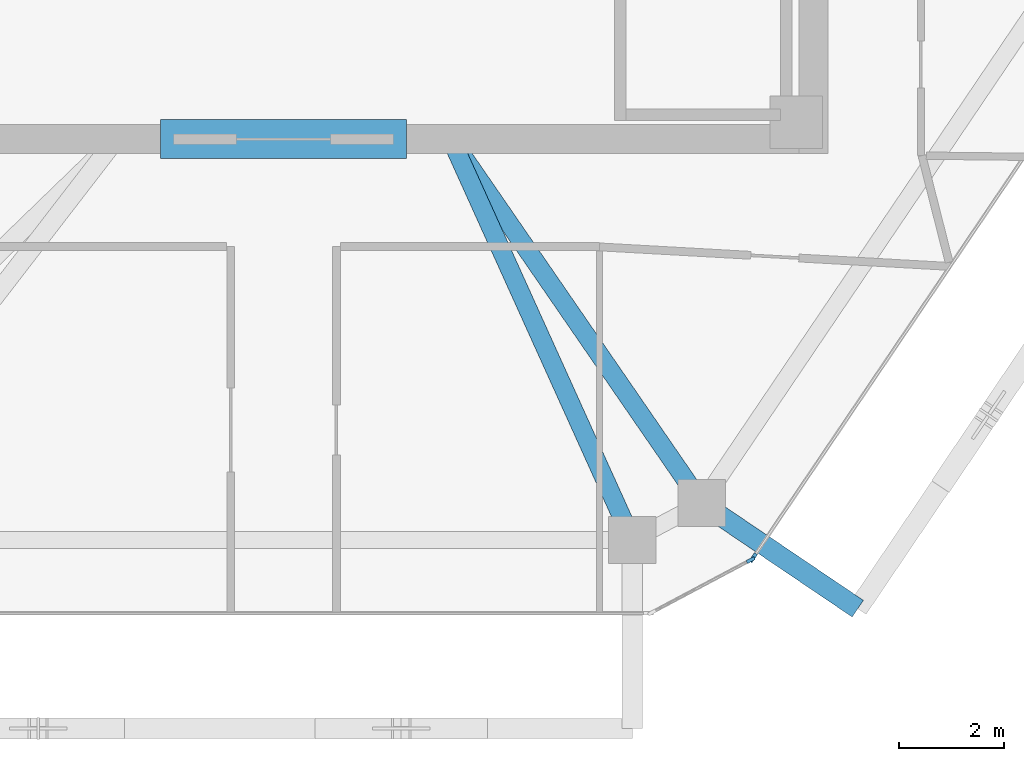
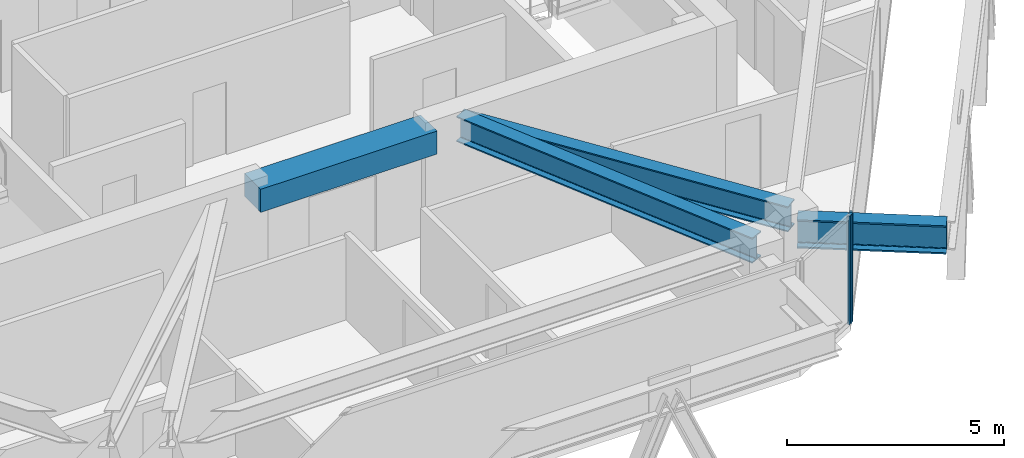
# One storey, part 3 of 13: 4 beams, 2 members, 2 elements without a shape of their own.
"""IFC4 building model written with IfcOpenShell, lengths in metres."""

from ifc_helpers import new_model, si_unit, direction, frame, origin, origin_2d, place, context, subcontext, project, spatial, rectangle, i_section, extrude, source, transform, mapped, material, layer, layer_set, material_profile, profile_set, type_object, type_shapes, element, aggregate, save


model = new_model("IFC4")

# Units and contexts
model_context = context("Model", 3, precision=1e-05, world=origin(), true_north=direction((0.0, 1.0)))
body_context = subcontext(model_context, "Body", "Model", "MODEL_VIEW")
ifc_project = project(units=[si_unit("LENGTHUNIT", "METRE"), si_unit("AREAUNIT", "SQUARE_METRE"), si_unit("VOLUMEUNIT", "CUBIC_METRE"), si_unit("PLANEANGLEUNIT", "RADIAN"), si_unit("MASSUNIT", "GRAM", prefix="KILO")], contexts=[model_context])

# Site, building, storey
site_placement = place(None, origin())
site = spatial("IfcSite", under=ifc_project, at=site_placement, CompositionType="ELEMENT")
building_placement = place(site_placement, origin())
building = spatial("IfcBuilding", under=site, at=building_placement, Name="Durnholm Broadcast Tower", CompositionType="ELEMENT")
storey_placement = place(building_placement, frame((0.0, 0.0, 241.39990234375)))
storey = spatial("IfcBuildingStorey", under=building, at=storey_placement, Name="L67", CompositionType="ELEMENT", Elevation=241.39990234375)

# Beams
ifc_material_1 = material(Name="Concrete C70/85", Category="concrete")
ifc_material_profile_1 = material_profile(ifc_material_1, rectangle(XDim=0.75, YDim=0.64990234375, at=origin_2d()), Name="RC750X650")
ifc_profile_set_1 = profile_set([ifc_material_profile_1], Name="Concrete C70/85")
beam_type_1 = type_object("IfcBeamType", Name="BM-CB-RC650", PredefinedType="LINTEL", material=ifc_profile_set_1)
shared_shape_1 = source(origin(), body_context, "Body", "SweptSolid", [
    extrude(rectangle(XDim=0.75, YDim=0.64990234375, at=origin_2d()), origin(), (0.0, 0.0, 1.0), 4.7001953125),
])
type_shapes(beam_type_1, [shared_shape_1])
beam_1_placement = place(storey_placement, frame((-2.35009765625, -8.125, 2.72998046875), z_axis=(1.0, 0.0, 0.0), x_axis=(0.0, 1.0, 0.0)))
element("IfcBeam", 1, at=beam_1_placement, inside=storey, type_object=beam_type_1, Name="L67 south core coupling lintel beam CB-S", PredefinedType="LINTEL", context=body_context, shape_type="MappedRepresentation", body=[
    mapped(shared_shape_1, transform((0.0, 0.0, 0.0), x_axis=(1.0, 0.0, 0.0), y_axis=(0.0, 1.0, 0.0), z_axis=(0.0, 0.0, 1.0), scale=1.0)),
])
ifc_material_2 = material(Name="Steel ASTM A992 Grade 50", Category="steel")
ifc_material_profile_2 = material_profile(ifc_material_2, i_section(OverallWidth=0.385009765625, OverallDepth=0.802978515625, WebThickness=0.023681640625, FlangeThickness=0.0419921875, FilletRadius=0.032958984375, at=origin_2d()), Name="W30X261")
ifc_profile_set_2 = profile_set([ifc_material_profile_2], Name="Steel ASTM A992 Grade 50")
beam_type_2 = type_object("IfcBeamType", Name="BM-EXO-TIE", PredefinedType="USERDEFINED", material=ifc_profile_set_2)
shared_shape_2 = source(origin(), body_context, "Body", "SweptSolid", [
    extrude(i_section(OverallWidth=0.385009765625, OverallDepth=0.802978515625, WebThickness=0.023681640625, FlangeThickness=0.0419921875, FilletRadius=0.032958984375, at=origin_2d()), origin(), (0.0, 0.0, 1.0), 3.4560546875),
])
type_shapes(beam_type_2, [shared_shape_2])
beam_2_placement = place(storey_placement, frame((8.110107421875, -15.161865234375, 2.30859375), z_axis=(0.828468499792, -0.560035663911, 0.0), x_axis=(0.560035663911, 0.828468499792, 0.0)))
element("IfcBeam", 2, at=beam_2_placement, inside=storey, type_object=beam_type_2, Name="L67 exoskeleton stand-off tie bracket F2.1", ObjectType="GIRDER", PredefinedType="USERDEFINED", context=body_context, shape_type="MappedRepresentation", body=[
    mapped(shared_shape_2, transform((0.0, 0.0, 0.0), x_axis=(1.0, 0.0, 0.0), y_axis=(0.0, 1.0, 0.0), z_axis=(0.0, 0.0, 1.0), scale=1.0)),
])
ifc_material_profile_3 = material_profile(ifc_material_2, i_section(OverallWidth=0.3564453125, OverallDepth=0.713623046875, WebThickness=0.01904296875, FlangeThickness=0.033935546875, FilletRadius=0.030517578125, at=origin_2d()), Name="W27X194")
ifc_profile_set_3 = profile_set([ifc_material_profile_3], Name="Steel ASTM A992 Grade 50")
beam_type_3 = type_object("IfcBeamType", Name="STL-GR-W27X194", PredefinedType="USERDEFINED", material=ifc_profile_set_3)
shared_shape_3 = source(origin(), body_context, "Body", "SweptSolid", [
    extrude(i_section(OverallWidth=0.3564453125, OverallDepth=0.713623046875, WebThickness=0.01904296875, FlangeThickness=0.033935546875, FilletRadius=0.030517578125, at=origin_2d()), origin(), (0.0, 0.0, 1.0), 8.446533203125),
])
beam_3_placement = place(storey_placement, frame((3.199951171875, -8.125, 2.688232421875), z_axis=(0.567216806915, -0.823568511997, 0.0), x_axis=(0.823568511997, 0.567216806915, 0.0)))
element("IfcBeam", 3, at=beam_3_placement, inside=storey, type_object=beam_type_3, Name="L67 radial primary floor girder 10", ObjectType="GIRDER", PredefinedType="USERDEFINED", context=body_context, shape_type="MappedRepresentation", body=[
    mapped(shared_shape_3, transform((0.0, 0.0, 0.0), x_axis=(1.0, 0.0, 0.0), y_axis=(0.0, 1.0, 0.0), z_axis=(0.0, 0.0, 1.0), scale=1.0)),
])
shared_shape_4 = source(origin(), body_context, "Body", "SweptSolid", [
    extrude(i_section(OverallWidth=0.3564453125, OverallDepth=0.713623046875, WebThickness=0.01904296875, FlangeThickness=0.033935546875, FilletRadius=0.030517578125, at=origin_2d()), origin(), (0.0, 0.0, 1.0), 8.407470703125),
])
type_shapes(beam_type_3, [shared_shape_3, shared_shape_4])
beam_4_placement = place(storey_placement, frame((3.199951171875, -8.125, 2.688232421875), z_axis=(0.411992813642, -0.911187094678, 0.0), x_axis=(0.911187094678, 0.411992813642, 0.0)))
element("IfcBeam", 4, at=beam_4_placement, inside=storey, type_object=beam_type_3, Name="L67 radial primary floor girder 11", ObjectType="GIRDER", PredefinedType="USERDEFINED", context=body_context, shape_type="MappedRepresentation", body=[
    mapped(shared_shape_4, transform((0.0, 0.0, 0.0), x_axis=(1.0, 0.0, 0.0), y_axis=(0.0, 1.0, 0.0), z_axis=(0.0, 0.0, 1.0), scale=1.0)),
])

# Curtain wall, member
ifc_material_3 = material(Name="Aluminium and Solar Control IGU", Category="aluminium")
ifc_layer_1 = layer(ifc_material_3, 0.1650390625)
ifc_layer_set_1 = layer_set([ifc_layer_1], Name="Aluminium and Solar Control IGU")
curtain_wall_type_1 = type_object("IfcCurtainWallType", Name="CW-SYS-5", PredefinedType="NOTDEFINED", material=ifc_layer_set_1)
curtain_wall_1_placement = place(storey_placement, origin())
curtain_wall_1 = element("IfcCurtainWall", 5, at=curtain_wall_1_placement, inside=storey, type_object=curtain_wall_type_1, Name="L67 curtain wall CW-CORNER CW-L67-CRN-09", PredefinedType="NOTDEFINED")
ifc_material_4 = material(Name="Aluminium 6063-T6", Category="aluminium")
ifc_material_profile_4 = material_profile(ifc_material_4, rectangle(XDim=0.06494140625, YDim=0.1650390625, at=origin_2d()), Name="CWM65X165")
ifc_profile_set_4 = profile_set([ifc_material_profile_4], Name="Aluminium 6063-T6")
member_type_1 = type_object("IfcMemberType", Name="CW-SYS-5-MUL", PredefinedType="MULLION", material=ifc_profile_set_4)
shared_shape_5 = source(origin(), body_context, "Body", "SweptSolid", [
    extrude(rectangle(XDim=0.06494140625, YDim=0.1650390625, at=origin_2d()), origin(), (0.0, 0.0, 1.0), 3.06005859375),
])
type_shapes(member_type_1, [shared_shape_5])
member_1_placement = place(storey_placement, frame((8.9267578125, -16.16943359375, 0.0), z_axis=(0.0, 0.0, 1.0), x_axis=(0.469006771575, -0.883194569853, 0.0)))
member_1 = element("IfcMember", 6, at=member_1_placement, type_object=member_type_1, Name="CW-CORNER mullion 1", PredefinedType="MULLION", context=body_context, shape_type="MappedRepresentation", body=[
    mapped(shared_shape_5, transform((0.0, 0.0, 0.0), x_axis=(1.0, 0.0, 0.0), y_axis=(0.0, 1.0, 0.0), z_axis=(0.0, 0.0, 1.0), scale=1.0)),
])
aggregate(curtain_wall_1, [member_1])

ifc_layer_2 = layer(ifc_material_3, 0.18994140625)
ifc_layer_set_2 = layer_set([ifc_layer_2], Name="Aluminium and Solar Control IGU")
curtain_wall_type_2 = type_object("IfcCurtainWallType", Name="CW-SYS-4", PredefinedType="NOTDEFINED", material=ifc_layer_set_2)
curtain_wall_2_placement = place(storey_placement, origin())
curtain_wall_2 = element("IfcCurtainWall", 7, at=curtain_wall_2_placement, inside=storey, type_object=curtain_wall_type_2, Name="L67 curtain wall CW-Z34-VIS CW-L67-F08", PredefinedType="NOTDEFINED")
ifc_material_profile_5 = material_profile(ifc_material_4, rectangle(XDim=0.070068359375, YDim=0.18994140625, at=origin_2d()), Name="CWM70X190")
ifc_profile_set_5 = profile_set([ifc_material_profile_5], Name="Aluminium 6063-T6")
member_type_2 = type_object("IfcMemberType", Name="CW-SYS-4-MUL", PredefinedType="MULLION", material=ifc_profile_set_5)
shared_shape_6 = source(origin(), body_context, "Body", "SweptSolid", [
    extrude(rectangle(XDim=0.070068359375, YDim=0.18994140625, at=origin_2d()), origin(), (0.0, 0.0, 1.0), 3.06005859375),
])
type_shapes(member_type_2, [shared_shape_6])
member_2_placement = place(storey_placement, frame((8.97509765625, -16.125244140625, 0.0), z_axis=(0.0, 0.0, 1.0), x_axis=(0.828443431662, -0.560072745753, 0.0)))
member_2 = element("IfcMember", 8, at=member_2_placement, type_object=member_type_2, Name="CW-Z34-VIS mullion 2", PredefinedType="MULLION", context=body_context, shape_type="MappedRepresentation", body=[
    mapped(shared_shape_6, transform((0.0, 0.0, 0.0), x_axis=(1.0, 0.0, 0.0), y_axis=(0.0, 1.0, 0.0), z_axis=(0.0, 0.0, 1.0), scale=1.0)),
])
aggregate(curtain_wall_2, [member_2])

save(model, "model.ifc")
